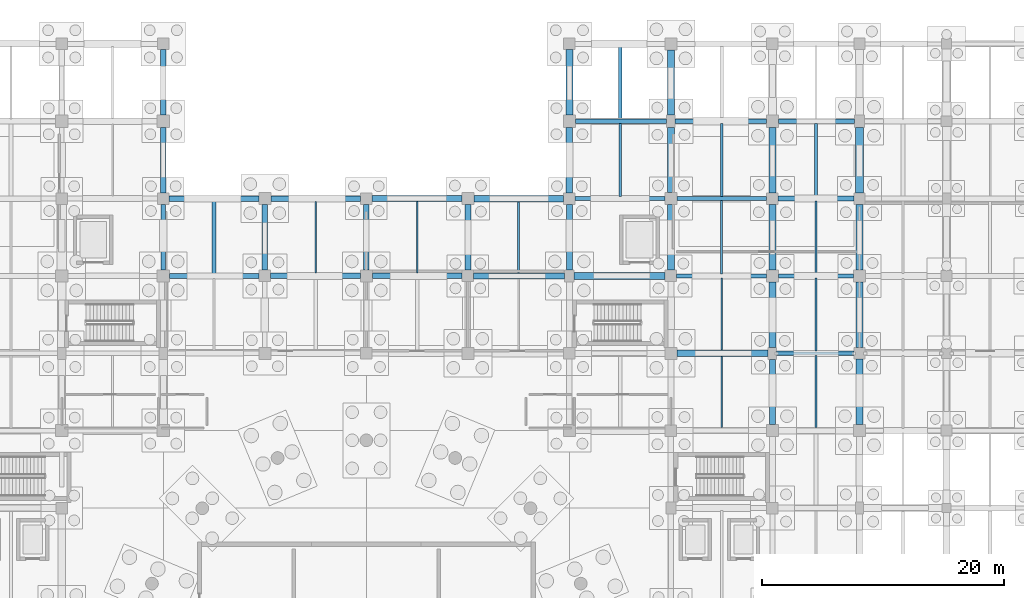
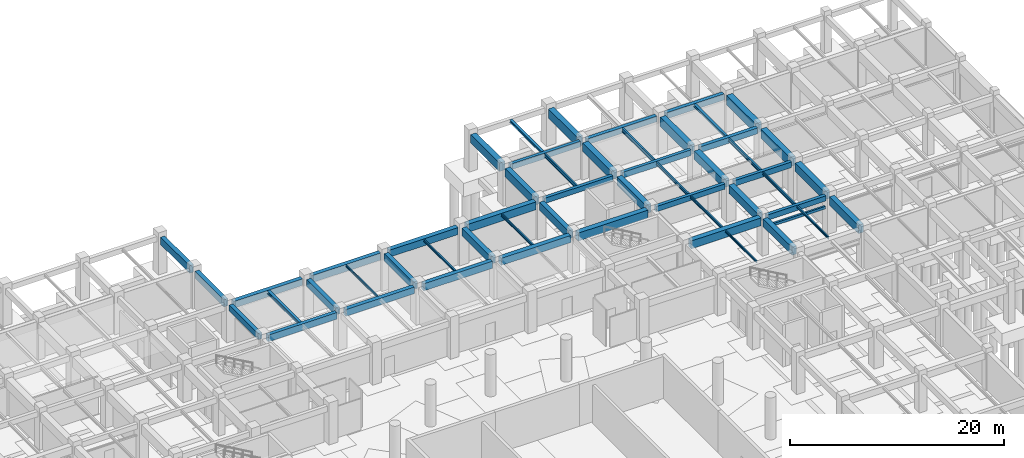
# One storey, part 25 of 44: 53 beams, 1 member.
"""IFC4 building model written with IfcOpenShell, lengths in metres."""

from ifc_helpers import new_model, si_unit, direction, frame, origin, origin_2d, place, context, subcontext, project, spatial, rectangle, hollow_rectangle, i_section, extrude, material, material_profile, profile_set, type_object, element, save


model = new_model("IFC4")

# Units and contexts
model_context = context("Model", 3, precision=1e-05, world=origin(), true_north=direction((0.0, 1.0)))
body_context = subcontext(model_context, "Body", "Model", "MODEL_VIEW")
ifc_project = project(units=[si_unit("LENGTHUNIT", "METRE"), si_unit("AREAUNIT", "SQUARE_METRE"), si_unit("VOLUMEUNIT", "CUBIC_METRE"), si_unit("PLANEANGLEUNIT", "RADIAN"), si_unit("MASSUNIT", "GRAM", prefix="KILO")], contexts=[model_context])

# Site, building, storey
site_placement = place(None, origin())
site = spatial("IfcSite", under=ifc_project, at=site_placement, CompositionType="ELEMENT")
building_placement = place(site_placement, origin())
building = spatial("IfcBuilding", under=site, at=building_placement, Name="Korsvaeld Concert Hall", CompositionType="ELEMENT")
storey_placement = place(building_placement, frame((0.0, 0.0, -4.800048828125)))
storey = spatial("IfcBuildingStorey", under=building, at=storey_placement, Name="B1", CompositionType="ELEMENT", Elevation=-4.800048828125)

# Beams
ifc_material_1 = material(Name="Concrete C35/45", Category="concrete")
ifc_material_profile_1 = material_profile(ifc_material_1, rectangle(XDim=0.35009765625, YDim=0.60009765625, at=origin_2d()), Name="RC 350x600")
ifc_profile_set_1 = profile_set([ifc_material_profile_1], Name="Concrete C35/45")
beam_type_1 = type_object("IfcBeamType", Name="BM-RC-350x600", PredefinedType="T_BEAM", material=ifc_profile_set_1)
beam_1_placement = place(storey_placement, frame((117.949951171875, 89.60009765625, 3.949951171875), z_axis=(1.0, 0.0, 0.0), x_axis=(0.0, 1.0, 0.0)))
element("IfcBeam", 1, at=beam_1_placement, inside=storey, type_object=beam_type_1, Name="Primary girder 16-17/N B1", PredefinedType="T_BEAM", context=body_context, shape_type="SweptSolid", body=[
    extrude(rectangle(XDim=0.35009765625, YDim=0.60009765625, at=origin_2d()), origin(), (0.0, 0.0, 1.0), 6.375),
])
for number, where, z_axis, x_axis, name in (
    (2, (109.675048828125, 96.0, 3.949951171875), (1.0, 0.0, 0.0), (0.0, 1.0, 0.0), "Primary girder 15-16/P B1"),
    (3, (101.27490234375, 102.39990234375, 3.949951171875), (1.0, 0.0, 0.0), (0.0, 1.0, 0.0), "Primary girder 14-15/Q B1"),
):
    element("IfcBeam", number, at=place(storey_placement, frame(where, z_axis=z_axis, x_axis=x_axis)), inside=storey, type_object=beam_type_1, Name=name, PredefinedType="T_BEAM", context=body_context, shape_type="SweptSolid", body=[
        extrude(rectangle(XDim=0.35009765625, YDim=0.60009765625, at=origin_2d()), origin(), (0.0, 0.0, 1.0), 7.425048828125),
    ])
ifc_material_profile_2 = material_profile(ifc_material_1, rectangle(XDim=0.35009765625, YDim=0.64990234375, at=origin_2d()), Name="RC 350x650")
ifc_profile_set_2 = profile_set([ifc_material_profile_2], Name="Concrete C35/45")
beam_type_2 = type_object("IfcBeamType", Name="BM-RC-350x650", PredefinedType="T_BEAM", material=ifc_profile_set_2)
beam_2_placement = place(storey_placement, frame((118.10009765625, 96.0, 3.925048828125), z_axis=(1.0, 0.0, 0.0), x_axis=(0.0, 1.0, 0.0)))
element("IfcBeam", 4, at=beam_2_placement, inside=storey, type_object=beam_type_2, Name="Primary girder 16-17/P B1", PredefinedType="T_BEAM", context=body_context, shape_type="SweptSolid", body=[
    extrude(rectangle(XDim=0.35009765625, YDim=0.64990234375, at=origin_2d()), origin(), (0.0, 0.0, 1.0), 6.199951171875),
])
beam_3_placement = place(storey_placement, frame((109.699951171875, 102.39990234375, 3.925048828125), z_axis=(1.0, 0.0, 0.0), x_axis=(0.0, 1.0, 0.0)))
element("IfcBeam", 5, at=beam_3_placement, inside=storey, type_object=beam_type_2, Name="Primary girder 15-16/Q B1", PredefinedType="T_BEAM", context=body_context, shape_type="SweptSolid", body=[
    extrude(rectangle(XDim=0.35009765625, YDim=0.64990234375, at=origin_2d()), origin(), (0.0, 0.0, 1.0), 7.425048828125),
])
beam_4_placement = place(storey_placement, frame((101.300048828125, 108.800048828125, 3.925048828125), z_axis=(1.0, 0.0, 0.0), x_axis=(0.0, 1.0, 0.0)))
element("IfcBeam", 6, at=beam_4_placement, inside=storey, type_object=beam_type_2, Name="Primary girder 14-15/R B1", PredefinedType="T_BEAM", context=body_context, shape_type="SweptSolid", body=[
    extrude(rectangle(XDim=0.35009765625, YDim=0.64990234375, at=origin_2d()), origin(), (0.0, 0.0, 1.0), 7.550048828125),
])
ifc_material_profile_3 = material_profile(ifc_material_1, rectangle(XDim=0.39990234375, YDim=0.64990234375, at=origin_2d()), Name="RC 400x650")
ifc_profile_set_3 = profile_set([ifc_material_profile_3], Name="Concrete C35/45")
beam_type_3 = type_object("IfcBeamType", Name="BM-RC-400x650", PredefinedType="T_BEAM", material=ifc_profile_set_3)
beam_5_placement = place(storey_placement, frame((118.074951171875, 102.39990234375, 3.925048828125), z_axis=(1.0, 0.0, 0.0), x_axis=(0.0, 1.0, 0.0)))
element("IfcBeam", 7, at=beam_5_placement, inside=storey, type_object=beam_type_3, Name="Primary girder 16-17/Q B1", PredefinedType="T_BEAM", context=body_context, shape_type="SweptSolid", body=[
    extrude(rectangle(XDim=0.39990234375, YDim=0.64990234375, at=origin_2d()), origin(), (0.0, 0.0, 1.0), 6.25),
])
beam_6_placement = place(storey_placement, frame((109.550048828125, 108.800048828125, 3.925048828125), z_axis=(1.0, 0.0, 0.0), x_axis=(0.0, 1.0, 0.0)))
element("IfcBeam", 8, at=beam_6_placement, inside=storey, type_object=beam_type_3, Name="Primary girder 15-16/R B1", PredefinedType="T_BEAM", context=body_context, shape_type="SweptSolid", body=[
    extrude(rectangle(XDim=0.39990234375, YDim=0.64990234375, at=origin_2d()), origin(), (0.0, 0.0, 1.0), 7.550048828125),
])
ifc_material_profile_4 = material_profile(ifc_material_1, rectangle(XDim=0.39990234375, YDim=0.699951171875, at=origin_2d()), Name="RC 400x700")
ifc_profile_set_4 = profile_set([ifc_material_profile_4], Name="Concrete C35/45")
beam_type_4 = type_object("IfcBeamType", Name="BM-RC-400x700", PredefinedType="T_BEAM", material=ifc_profile_set_4)
beam_7_placement = place(storey_placement, frame((118.10009765625, 108.800048828125, 3.900146484375), z_axis=(1.0, 0.0, 0.0), x_axis=(0.0, 1.0, 0.0)))
element("IfcBeam", 9, at=beam_7_placement, inside=storey, type_object=beam_type_4, Name="Primary girder 16-17/R B1", PredefinedType="T_BEAM", context=body_context, shape_type="SweptSolid", body=[
    extrude(rectangle(XDim=0.39990234375, YDim=0.699951171875, at=origin_2d()), origin(), (0.0, 0.0, 1.0), 6.2998046875),
])
beam_8_placement = place(storey_placement, frame((67.199951171875, 96.5, 3.900146484375), z_axis=(0.0, 1.0, 0.0), x_axis=(-1.0, 0.0, 0.0)))
element("IfcBeam", 10, at=beam_8_placement, inside=storey, type_object=beam_type_4, Name="Primary girder 10/P-Q B1", PredefinedType="T_BEAM", context=body_context, shape_type="SweptSolid", body=[
    extrude(rectangle(XDim=0.39990234375, YDim=0.699951171875, at=origin_2d()), origin(), (0.0, 0.0, 1.0), 5.425048828125),
])
ifc_material_profile_5 = material_profile(ifc_material_1, rectangle(XDim=0.39990234375, YDim=0.75, at=origin_2d()), Name="RC 400x750")
ifc_profile_set_5 = profile_set([ifc_material_profile_5], Name="Concrete C35/45")
beam_type_5 = type_object("IfcBeamType", Name="BM-RC-400x750", PredefinedType="T_BEAM", material=ifc_profile_set_5)
beam_9_placement = place(storey_placement, frame((67.699951171875, 96.0, 3.875), z_axis=(1.0, 0.0, 0.0), x_axis=(0.0, 1.0, 0.0)))
element("IfcBeam", 11, at=beam_9_placement, inside=storey, type_object=beam_type_5, Name="Primary girder 10-11/P B1", PredefinedType="T_BEAM", context=body_context, shape_type="SweptSolid", body=[
    extrude(rectangle(XDim=0.39990234375, YDim=0.75, at=origin_2d()), origin(), (0.0, 0.0, 1.0), 7.425048828125),
])
ifc_material_profile_6 = material_profile(ifc_material_1, rectangle(XDim=0.449951171875, YDim=0.75, at=origin_2d()), Name="RC 450x750")
ifc_profile_set_6 = profile_set([ifc_material_profile_6], Name="Concrete C35/45")
beam_type_6 = type_object("IfcBeamType", Name="BM-RC-450x750", PredefinedType="T_BEAM", material=ifc_profile_set_6)
for number, where, z_axis, x_axis, name in (
    (12, (76.074951171875, 96.0, 3.875), (1.0, 0.0, 0.0), (0.0, 1.0, 0.0), "Primary girder 11-12/P B1"),
    (13, (67.675048828125, 102.39990234375, 3.875), (1.0, 0.0, 0.0), (0.0, 1.0, 0.0), "Primary girder 10-11/Q B1"),
):
    element("IfcBeam", number, at=place(storey_placement, frame(where, z_axis=z_axis, x_axis=x_axis)), inside=storey, type_object=beam_type_6, Name=name, PredefinedType="T_BEAM", context=body_context, shape_type="SweptSolid", body=[
        extrude(rectangle(XDim=0.449951171875, YDim=0.75, at=origin_2d()), origin(), (0.0, 0.0, 1.0), 7.425048828125),
    ])
ifc_material_profile_7 = material_profile(ifc_material_1, rectangle(XDim=0.449951171875, YDim=0.800048828125, at=origin_2d()), Name="RC 450x800")
ifc_profile_set_7 = profile_set([ifc_material_profile_7], Name="Concrete C35/45")
beam_type_7 = type_object("IfcBeamType", Name="BM-RC-450x800", PredefinedType="T_BEAM", material=ifc_profile_set_7)
beam_10_placement = place(storey_placement, frame((84.5, 96.0, 3.85009765625), z_axis=(1.0, 0.0, 0.0), x_axis=(0.0, 1.0, 0.0)))
element("IfcBeam", 14, at=beam_10_placement, inside=storey, type_object=beam_type_7, Name="Primary girder 12-13/P B1", PredefinedType="T_BEAM", context=body_context, shape_type="SweptSolid", body=[
    extrude(rectangle(XDim=0.449951171875, YDim=0.800048828125, at=origin_2d()), origin(), (0.0, 0.0, 1.0), 7.425048828125),
])
beam_11_placement = place(storey_placement, frame((76.10009765625, 102.39990234375, 3.85009765625), z_axis=(1.0, 0.0, 0.0), x_axis=(0.0, 1.0, 0.0)))
element("IfcBeam", 15, at=beam_11_placement, inside=storey, type_object=beam_type_7, Name="Primary girder 11-12/Q B1", PredefinedType="T_BEAM", context=body_context, shape_type="SweptSolid", body=[
    extrude(rectangle(XDim=0.449951171875, YDim=0.800048828125, at=origin_2d()), origin(), (0.0, 0.0, 1.0), 7.4248046875),
])
beam_12_placement = place(storey_placement, frame((67.199951171875, 102.875, 3.85009765625), z_axis=(0.0, 1.0, 0.0), x_axis=(-1.0, 0.0, 0.0)))
element("IfcBeam", 16, at=beam_12_placement, inside=storey, type_object=beam_type_7, Name="Primary girder 10/Q-R B1", PredefinedType="T_BEAM", context=body_context, shape_type="SweptSolid", body=[
    extrude(rectangle(XDim=0.449951171875, YDim=0.800048828125, at=origin_2d()), origin(), (0.0, 0.0, 1.0), 5.425048828125),
])
beam_13_placement = place(storey_placement, frame((75.60009765625, 96.47509765625, 3.85009765625), z_axis=(0.0, 1.0, 0.0), x_axis=(-1.0, 0.0, 0.0)))
element("IfcBeam", 17, at=beam_13_placement, inside=storey, type_object=beam_type_7, Name="Primary girder 11/P-Q B1", PredefinedType="T_BEAM", context=body_context, shape_type="SweptSolid", body=[
    extrude(rectangle(XDim=0.449951171875, YDim=0.800048828125, at=origin_2d()), origin(), (0.0, 0.0, 1.0), 5.4248046875),
])
ifc_material_2 = material(Name="Concrete C40/50", Category="concrete")
ifc_material_profile_8 = material_profile(ifc_material_2, rectangle(XDim=0.449951171875, YDim=0.85009765625, at=origin_2d()), Name="RC 450x850")
ifc_profile_set_8 = profile_set([ifc_material_profile_8], Name="Concrete C40/50")
beam_type_8 = type_object("IfcBeamType", Name="BM-RC-450x850", PredefinedType="T_BEAM", material=ifc_profile_set_8)
for number, where, z_axis, x_axis, name in (
    (18, (67.199951171875, 109.300048828125, 3.824951171875), (0.0, 1.0, 0.0), (-1.0, 0.0, 0.0), "Primary girder 10/R-S B1"),
    (19, (84.0, 96.5, 3.824951171875), (0.0, 1.0, 0.0), (-1.0, 0.0, 0.0), "Primary girder 12/P-Q B1"),
):
    element("IfcBeam", number, at=place(storey_placement, frame(where, z_axis=z_axis, x_axis=x_axis)), inside=storey, type_object=beam_type_8, Name=name, PredefinedType="T_BEAM", context=body_context, shape_type="SweptSolid", body=[
        extrude(rectangle(XDim=0.449951171875, YDim=0.85009765625, at=origin_2d()), origin(), (0.0, 0.0, 1.0), 5.425048828125),
    ])
ifc_material_profile_9 = material_profile(ifc_material_2, rectangle(XDim=0.5, YDim=0.800048828125, at=origin_2d()), Name="RC 500x800")
ifc_profile_set_9 = profile_set([ifc_material_profile_9], Name="Concrete C40/50")
beam_type_9 = type_object("IfcBeamType", Name="BM-RC-500x800", PredefinedType="T_BEAM", material=ifc_profile_set_9)
beam_14_placement = place(storey_placement, frame((92.875, 96.0, 3.85009765625), z_axis=(1.0, 0.0, 0.0), x_axis=(0.0, 1.0, 0.0)))
element("IfcBeam", 20, at=beam_14_placement, inside=storey, type_object=beam_type_9, Name="Primary girder 13-14/P B1", PredefinedType="T_BEAM", context=body_context, shape_type="SweptSolid", body=[
    extrude(rectangle(XDim=0.5, YDim=0.800048828125, at=origin_2d()), origin(), (0.0, 0.0, 1.0), 7.52490234375),
])
beam_15_placement = place(storey_placement, frame((84.47509765625, 102.39990234375, 3.85009765625), z_axis=(1.0, 0.0, 0.0), x_axis=(0.0, 1.0, 0.0)))
element("IfcBeam", 21, at=beam_15_placement, inside=storey, type_object=beam_type_9, Name="Primary girder 12-13/Q B1", PredefinedType="T_BEAM", context=body_context, shape_type="SweptSolid", body=[
    extrude(rectangle(XDim=0.5, YDim=0.800048828125, at=origin_2d()), origin(), (0.0, 0.0, 1.0), 7.4248046875),
])
ifc_material_profile_10 = material_profile(ifc_material_2, rectangle(XDim=0.5, YDim=0.85009765625, at=origin_2d()), Name="RC 500x850")
ifc_profile_set_10 = profile_set([ifc_material_profile_10], Name="Concrete C40/50")
beam_type_10 = type_object("IfcBeamType", Name="BM-RC-500x850", PredefinedType="T_BEAM", material=ifc_profile_set_10)
beam_16_placement = place(storey_placement, frame((92.39990234375, 96.47509765625, 3.824951171875), z_axis=(0.0, 1.0, 0.0), x_axis=(-1.0, 0.0, 0.0)))
element("IfcBeam", 22, at=beam_16_placement, inside=storey, type_object=beam_type_10, Name="Primary girder 13/P-Q B1", PredefinedType="T_BEAM", context=body_context, shape_type="SweptSolid", body=[
    extrude(rectangle(XDim=0.5, YDim=0.85009765625, at=origin_2d()), origin(), (0.0, 0.0, 1.0), 5.4248046875),
])
ifc_material_profile_11 = material_profile(ifc_material_2, rectangle(XDim=0.5, YDim=0.89990234375, at=origin_2d()), Name="RC 500x900")
ifc_profile_set_11 = profile_set([ifc_material_profile_11], Name="Concrete C40/50")
beam_type_11 = type_object("IfcBeamType", Name="BM-RC-500x900", PredefinedType="T_BEAM", material=ifc_profile_set_11)
beam_17_placement = place(storey_placement, frame((100.800048828125, 96.5, 3.800048828125), z_axis=(0.0, 1.0, 0.0), x_axis=(-1.0, 0.0, 0.0)))
element("IfcBeam", 23, at=beam_17_placement, inside=storey, type_object=beam_type_11, Name="Primary girder 14/P-Q B1", PredefinedType="T_BEAM", context=body_context, shape_type="SweptSolid", body=[
    extrude(rectangle(XDim=0.5, YDim=0.89990234375, at=origin_2d()), origin(), (0.0, 0.0, 1.0), 5.425048828125),
])
beam_18_placement = place(storey_placement, frame((117.60009765625, 83.699951171875, 3.800048828125), z_axis=(0.0, 1.0, 0.0), x_axis=(-1.0, 0.0, 0.0)))
element("IfcBeam", 24, at=beam_18_placement, inside=storey, type_object=beam_type_11, Name="Primary girder 16/M-N B1", PredefinedType="T_BEAM", context=body_context, shape_type="SweptSolid", body=[
    extrude(rectangle(XDim=0.5, YDim=0.89990234375, at=origin_2d()), origin(), (0.0, 0.0, 1.0), 5.400146484375),
])
ifc_material_profile_12 = material_profile(ifc_material_2, rectangle(XDim=0.550048828125, YDim=0.89990234375, at=origin_2d()), Name="RC 550x900")
ifc_profile_set_12 = profile_set([ifc_material_profile_12], Name="Concrete C40/50")
beam_type_12 = type_object("IfcBeamType", Name="BM-RC-550x900", PredefinedType="T_BEAM", material=ifc_profile_set_12)
beam_19_placement = place(storey_placement, frame((109.699951171875, 89.60009765625, 3.800048828125), z_axis=(1.0, 0.0, 0.0), x_axis=(0.0, 1.0, 0.0)))
element("IfcBeam", 25, at=beam_19_placement, inside=storey, type_object=beam_type_12, Name="Primary girder 15-16/N B1", PredefinedType="T_BEAM", context=body_context, shape_type="SweptSolid", body=[
    extrude(rectangle(XDim=0.550048828125, YDim=0.89990234375, at=origin_2d()), origin(), (0.0, 0.0, 1.0), 7.550048828125),
])
beam_20_placement = place(storey_placement, frame((101.199951171875, 96.0, 3.800048828125), z_axis=(1.0, 0.0, 0.0), x_axis=(0.0, 1.0, 0.0)))
element("IfcBeam", 26, at=beam_20_placement, inside=storey, type_object=beam_type_12, Name="Primary girder 14-15/P B1", PredefinedType="T_BEAM", context=body_context, shape_type="SweptSolid", body=[
    extrude(rectangle(XDim=0.550048828125, YDim=0.89990234375, at=origin_2d()), origin(), (0.0, 0.0, 1.0), 7.525146484375),
])
beam_21_placement = place(storey_placement, frame((92.89990234375, 102.39990234375, 3.800048828125), z_axis=(1.0, 0.0, 0.0), x_axis=(0.0, 1.0, 0.0)))
element("IfcBeam", 27, at=beam_21_placement, inside=storey, type_object=beam_type_12, Name="Primary girder 13-14/Q B1", PredefinedType="T_BEAM", context=body_context, shape_type="SweptSolid", body=[
    extrude(rectangle(XDim=0.550048828125, YDim=0.89990234375, at=origin_2d()), origin(), (0.0, 0.0, 1.0), 7.425048828125),
])
ifc_material_profile_13 = material_profile(ifc_material_2, rectangle(XDim=0.550048828125, YDim=0.949951171875, at=origin_2d()), Name="RC 550x950")
ifc_profile_set_13 = profile_set([ifc_material_profile_13], Name="Concrete C40/50")
beam_type_13 = type_object("IfcBeamType", Name="BM-RC-550x950", PredefinedType="T_BEAM", material=ifc_profile_set_13)
beam_22_placement = place(storey_placement, frame((100.800048828125, 102.875, 3.775146484375), z_axis=(0.0, 1.0, 0.0), x_axis=(-1.0, 0.0, 0.0)))
element("IfcBeam", 28, at=beam_22_placement, inside=storey, type_object=beam_type_13, Name="Primary girder 14/Q-R B1", PredefinedType="T_BEAM", context=body_context, shape_type="SweptSolid", body=[
    extrude(rectangle(XDim=0.550048828125, YDim=0.949951171875, at=origin_2d()), origin(), (0.0, 0.0, 1.0), 5.425048828125),
])
beam_23_placement = place(storey_placement, frame((109.199951171875, 96.47509765625, 3.775146484375), z_axis=(0.0, 1.0, 0.0), x_axis=(-1.0, 0.0, 0.0)))
element("IfcBeam", 29, at=beam_23_placement, inside=storey, type_object=beam_type_13, Name="Primary girder 15/P-Q B1", PredefinedType="T_BEAM", context=body_context, shape_type="SweptSolid", body=[
    extrude(rectangle(XDim=0.550048828125, YDim=0.949951171875, at=origin_2d()), origin(), (0.0, 0.0, 1.0), 5.4248046875),
])
beam_24_placement = place(storey_placement, frame((117.60009765625, 90.10009765625, 3.775146484375), z_axis=(0.0, 1.0, 0.0), x_axis=(-1.0, 0.0, 0.0)))
element("IfcBeam", 30, at=beam_24_placement, inside=storey, type_object=beam_type_13, Name="Primary girder 16/N-P B1", PredefinedType="T_BEAM", context=body_context, shape_type="SweptSolid", body=[
    extrude(rectangle(XDim=0.550048828125, YDim=0.949951171875, at=origin_2d()), origin(), (0.0, 0.0, 1.0), 5.39990234375),
])
beam_25_placement = place(storey_placement, frame((124.800048828125, 83.699951171875, 3.775146484375), z_axis=(0.0, 1.0, 0.0), x_axis=(-1.0, 0.0, 0.0)))
element("IfcBeam", 31, at=beam_25_placement, inside=storey, type_object=beam_type_13, Name="Primary girder 17/M-N B1", PredefinedType="T_BEAM", context=body_context, shape_type="SweptSolid", body=[
    extrude(rectangle(XDim=0.550048828125, YDim=0.949951171875, at=origin_2d()), origin(), (0.0, 0.0, 1.0), 5.425048828125),
])
ifc_material_profile_14 = material_profile(ifc_material_2, rectangle(XDim=0.60009765625, YDim=1.050048828125, at=origin_2d()), Name="RC 600x1050")
ifc_profile_set_14 = profile_set([ifc_material_profile_14], Name="Concrete C40/50")
beam_type_14 = type_object("IfcBeamType", Name="BM-RC-600x1050", PredefinedType="T_BEAM", material=ifc_profile_set_14)
beam_26_placement = place(storey_placement, frame((109.199951171875, 109.300048828125, 3.72509765625), z_axis=(0.0, 1.0, 0.0), x_axis=(-1.0, 0.0, 0.0)))
element("IfcBeam", 32, at=beam_26_placement, inside=storey, type_object=beam_type_14, Name="Primary girder 15/R-S B1", PredefinedType="T_BEAM", context=body_context, shape_type="SweptSolid", body=[
    extrude(rectangle(XDim=0.60009765625, YDim=1.050048828125, at=origin_2d()), origin(), (0.0, 0.0, 1.0), 5.39990234375),
])
for number, where, z_axis, x_axis, name in (
    (33, (117.60009765625, 102.875, 3.72509765625), (0.0, 1.0, 0.0), (-1.0, 0.0, 0.0), "Primary girder 16/Q-R B1"),
    (34, (124.800048828125, 96.5, 3.72509765625), (0.0, 1.0, 0.0), (-1.0, 0.0, 0.0), "Primary girder 17/P-Q B1"),
):
    element("IfcBeam", number, at=place(storey_placement, frame(where, z_axis=z_axis, x_axis=x_axis)), inside=storey, type_object=beam_type_14, Name=name, PredefinedType="T_BEAM", context=body_context, shape_type="SweptSolid", body=[
        extrude(rectangle(XDim=0.60009765625, YDim=1.050048828125, at=origin_2d()), origin(), (0.0, 0.0, 1.0), 5.425048828125),
    ])
ifc_material_profile_15 = material_profile(ifc_material_2, rectangle(XDim=0.60009765625, YDim=0.949951171875, at=origin_2d()), Name="RC 600x950")
ifc_profile_set_15 = profile_set([ifc_material_profile_15], Name="Concrete C40/50")
beam_type_15 = type_object("IfcBeamType", Name="BM-RC-600x950", PredefinedType="T_BEAM", material=ifc_profile_set_15)
beam_27_placement = place(storey_placement, frame((100.800048828125, 109.300048828125, 3.775146484375), z_axis=(0.0, 1.0, 0.0), x_axis=(-1.0, 0.0, 0.0)))
element("IfcBeam", 35, at=beam_27_placement, inside=storey, type_object=beam_type_15, Name="Primary girder 14/R-S B1", PredefinedType="T_BEAM", context=body_context, shape_type="SweptSolid", body=[
    extrude(rectangle(XDim=0.60009765625, YDim=0.949951171875, at=origin_2d()), origin(), (0.0, 0.0, 1.0), 5.425048828125),
])
beam_28_placement = place(storey_placement, frame((109.199951171875, 102.89990234375, 3.775146484375), z_axis=(0.0, 1.0, 0.0), x_axis=(-1.0, 0.0, 0.0)))
element("IfcBeam", 36, at=beam_28_placement, inside=storey, type_object=beam_type_15, Name="Primary girder 15/Q-R B1", PredefinedType="T_BEAM", context=body_context, shape_type="SweptSolid", body=[
    extrude(rectangle(XDim=0.60009765625, YDim=0.949951171875, at=origin_2d()), origin(), (0.0, 0.0, 1.0), 5.400146484375),
])
for number, where, z_axis, x_axis, name in (
    (37, (117.60009765625, 96.5, 3.775146484375), (0.0, 1.0, 0.0), (-1.0, 0.0, 0.0), "Primary girder 16/P-Q B1"),
    (38, (124.800048828125, 90.074951171875, 3.775146484375), (0.0, 1.0, 0.0), (-1.0, 0.0, 0.0), "Primary girder 17/N-P B1"),
):
    element("IfcBeam", number, at=place(storey_placement, frame(where, z_axis=z_axis, x_axis=x_axis)), inside=storey, type_object=beam_type_15, Name=name, PredefinedType="T_BEAM", context=body_context, shape_type="SweptSolid", body=[
        extrude(rectangle(XDim=0.60009765625, YDim=0.949951171875, at=origin_2d()), origin(), (0.0, 0.0, 1.0), 5.425048828125),
    ])
ifc_material_profile_16 = material_profile(ifc_material_2, rectangle(XDim=0.64990234375, YDim=1.10009765625, at=origin_2d()), Name="RC 650x1100")
ifc_profile_set_16 = profile_set([ifc_material_profile_16], Name="Concrete C40/50")
beam_type_16 = type_object("IfcBeamType", Name="BM-RC-650x1100", PredefinedType="T_BEAM", material=ifc_profile_set_16)
beam_29_placement = place(storey_placement, frame((124.800048828125, 102.875, 3.699951171875), z_axis=(0.0, 1.0, 0.0), x_axis=(-1.0, 0.0, 0.0)))
element("IfcBeam", 39, at=beam_29_placement, inside=storey, type_object=beam_type_16, Name="Primary girder 17/Q-R B1", PredefinedType="T_BEAM", context=body_context, shape_type="SweptSolid", body=[
    extrude(rectangle(XDim=0.64990234375, YDim=1.10009765625, at=origin_2d()), origin(), (0.0, 0.0, 1.0), 5.425048828125),
])
ifc_material_3 = material(Name="Steel S355J2", Category="steel")
ifc_material_profile_17 = material_profile(ifc_material_3, i_section(OverallWidth=0.280029296875, OverallDepth=0.27001953125, WebThickness=0.008056640625, FlangeThickness=0.012939453125, FilletRadius=0.02392578125, at=origin_2d()), Name="HEA 280")
ifc_profile_set_17 = profile_set([ifc_material_profile_17], Name="Steel S355J2")
beam_type_17 = type_object("IfcBeamType", Name="BM-STL-HEA280", PredefinedType="BEAM", material=ifc_profile_set_17)
beam_30_placement = place(storey_placement, frame((105.0, 108.97509765625, 4.114990234375), z_axis=(0.0, 1.0, 0.0), x_axis=(-1.0, 0.0, 0.0)))
element("IfcBeam", 40, at=beam_30_placement, inside=storey, type_object=beam_type_17, Name="Secondary steel floor beam 14-15/R B1", PredefinedType="BEAM", context=body_context, shape_type="SweptSolid", body=[
    extrude(i_section(OverallWidth=0.280029296875, OverallDepth=0.27001953125, WebThickness=0.008056640625, FlangeThickness=0.012939453125, FilletRadius=0.02392578125, at=origin_2d()), origin(), (0.0, 0.0, 1.0), 6.02490234375),
])
beam_31_placement = place(storey_placement, frame((121.199951171875, 102.60009765625, 4.114990234375), z_axis=(0.0, 1.0, 0.0), x_axis=(-1.0, 0.0, 0.0)))
element("IfcBeam", 41, at=beam_31_placement, inside=storey, type_object=beam_type_17, Name="Secondary steel floor beam 16-17/Q B1", PredefinedType="BEAM", context=body_context, shape_type="SweptSolid", body=[
    extrude(i_section(OverallWidth=0.280029296875, OverallDepth=0.27001953125, WebThickness=0.008056640625, FlangeThickness=0.012939453125, FilletRadius=0.02392578125, at=origin_2d()), origin(), (0.0, 0.0, 1.0), 6.0),
])
ifc_material_profile_18 = material_profile(ifc_material_3, i_section(OverallWidth=0.300048828125, OverallDepth=0.35009765625, WebThickness=0.010009765625, FlangeThickness=0.017578125, FilletRadius=0.027099609375, at=origin_2d()), Name="HEA 360")
ifc_profile_set_18 = profile_set([ifc_material_profile_18], Name="Steel S355J2")
beam_type_18 = type_object("IfcBeamType", Name="BM-STL-HEA360", PredefinedType="BEAM", material=ifc_profile_set_18)
beam_32_placement = place(storey_placement, frame((71.39990234375, 96.199951171875, 4.074951171875), z_axis=(0.0, 1.0, 0.0), x_axis=(-1.0, 0.0, 0.0)))
element("IfcBeam", 42, at=beam_32_placement, inside=storey, type_object=beam_type_18, Name="Secondary steel floor beam 10-11/P B1", PredefinedType="BEAM", context=body_context, shape_type="SweptSolid", body=[
    extrude(i_section(OverallWidth=0.300048828125, OverallDepth=0.35009765625, WebThickness=0.010009765625, FlangeThickness=0.017578125, FilletRadius=0.027099609375, at=origin_2d()), origin(), (0.0, 0.0, 1.0), 5.97509765625),
])
ifc_material_profile_19 = material_profile(ifc_material_3, i_section(OverallWidth=0.1201171875, OverallDepth=0.239990234375, WebThickness=0.006103515625, FlangeThickness=0.009765625, FilletRadius=0.014892578125, at=origin_2d()), Name="IPE 240")
ifc_profile_set_19 = profile_set([ifc_material_profile_19], Name="Steel S355J2")
beam_type_19 = type_object("IfcBeamType", Name="BM-STL-IPE240", PredefinedType="JOIST", material=ifc_profile_set_19)
beam_33_placement = place(storey_placement, frame((79.800048828125, 96.22509765625, 4.130126953125), z_axis=(0.0, 1.0, 0.0), x_axis=(-1.0, 0.0, 0.0)))
element("IfcBeam", 43, at=beam_33_placement, inside=storey, type_object=beam_type_19, Name="Secondary steel floor beam 11-12/P B1", PredefinedType="JOIST", context=body_context, shape_type="SweptSolid", body=[
    extrude(i_section(OverallWidth=0.1201171875, OverallDepth=0.239990234375, WebThickness=0.006103515625, FlangeThickness=0.009765625, FilletRadius=0.014892578125, at=origin_2d()), origin(), (0.0, 0.0, 1.0), 5.949951171875),
])
beam_34_placement = place(storey_placement, frame((113.39990234375, 83.449951171875, 4.130126953125), z_axis=(0.0, 1.0, 0.0), x_axis=(-1.0, 0.0, 0.0)))
element("IfcBeam", 44, at=beam_34_placement, inside=storey, type_object=beam_type_19, Name="Secondary steel floor beam 15-16/M B1", PredefinedType="JOIST", context=body_context, shape_type="SweptSolid", body=[
    extrude(i_section(OverallWidth=0.1201171875, OverallDepth=0.239990234375, WebThickness=0.006103515625, FlangeThickness=0.009765625, FilletRadius=0.014892578125, at=origin_2d()), origin(), (0.0, 0.0, 1.0), 5.875),
])
ifc_material_profile_20 = material_profile(ifc_material_3, i_section(OverallWidth=0.135009765625, OverallDepth=0.27001953125, WebThickness=0.006591796875, FlangeThickness=0.01025390625, FilletRadius=0.014892578125, at=origin_2d()), Name="IPE 270")
ifc_profile_set_20 = profile_set([ifc_material_profile_20], Name="Steel S355J2")
beam_type_20 = type_object("IfcBeamType", Name="BM-STL-IPE270", PredefinedType="JOIST", material=ifc_profile_set_20)
beam_35_placement = place(storey_placement, frame((88.199951171875, 96.22509765625, 4.114990234375), z_axis=(0.0, 1.0, 0.0), x_axis=(-1.0, 0.0, 0.0)))
element("IfcBeam", 45, at=beam_35_placement, inside=storey, type_object=beam_type_20, Name="Secondary steel floor beam 12-13/P B1", PredefinedType="JOIST", context=body_context, shape_type="SweptSolid", body=[
    extrude(i_section(OverallWidth=0.135009765625, OverallDepth=0.27001953125, WebThickness=0.006591796875, FlangeThickness=0.01025390625, FilletRadius=0.014892578125, at=origin_2d()), origin(), (0.0, 0.0, 1.0), 5.9248046875),
])
beam_36_placement = place(storey_placement, frame((121.199951171875, 83.47509765625, 4.114990234375), z_axis=(0.0, 1.0, 0.0), x_axis=(-1.0, 0.0, 0.0)))
element("IfcBeam", 46, at=beam_36_placement, inside=storey, type_object=beam_type_20, Name="Secondary steel floor beam 16-17/M B1", PredefinedType="JOIST", context=body_context, shape_type="SweptSolid", body=[
    extrude(i_section(OverallWidth=0.135009765625, OverallDepth=0.27001953125, WebThickness=0.006591796875, FlangeThickness=0.01025390625, FilletRadius=0.014892578125, at=origin_2d()), origin(), (0.0, 0.0, 1.0), 5.949951171875),
])
ifc_material_profile_21 = material_profile(ifc_material_3, i_section(OverallWidth=0.14990234375, OverallDepth=0.300048828125, WebThickness=0.007080078125, FlangeThickness=0.0107421875, FilletRadius=0.014892578125, at=origin_2d()), Name="IPE 300")
ifc_profile_set_21 = profile_set([ifc_material_profile_21], Name="Steel S355J2")
beam_type_21 = type_object("IfcBeamType", Name="BM-STL-IPE300", PredefinedType="JOIST", material=ifc_profile_set_21)
beam_37_placement = place(storey_placement, frame((96.60009765625, 96.25, 4.10009765625), z_axis=(0.0, 1.0, 0.0), x_axis=(-1.0, 0.0, 0.0)))
element("IfcBeam", 47, at=beam_37_placement, inside=storey, type_object=beam_type_21, Name="Secondary steel floor beam 13-14/P B1", PredefinedType="JOIST", context=body_context, shape_type="SweptSolid", body=[
    extrude(i_section(OverallWidth=0.14990234375, OverallDepth=0.300048828125, WebThickness=0.007080078125, FlangeThickness=0.0107421875, FilletRadius=0.014892578125, at=origin_2d()), origin(), (0.0, 0.0, 1.0), 5.875),
])
beam_38_placement = place(storey_placement, frame((113.39990234375, 89.875, 4.10009765625), z_axis=(0.0, 1.0, 0.0), x_axis=(-1.0, 0.0, 0.0)))
element("IfcBeam", 48, at=beam_38_placement, inside=storey, type_object=beam_type_21, Name="Secondary steel floor beam 15-16/N B1", PredefinedType="JOIST", context=body_context, shape_type="SweptSolid", body=[
    extrude(i_section(OverallWidth=0.14990234375, OverallDepth=0.300048828125, WebThickness=0.007080078125, FlangeThickness=0.0107421875, FilletRadius=0.014892578125, at=origin_2d()), origin(), (0.0, 0.0, 1.0), 5.949951171875),
])
ifc_material_profile_22 = material_profile(ifc_material_3, i_section(OverallWidth=0.159912109375, OverallDepth=0.330078125, WebThickness=0.007568359375, FlangeThickness=0.011474609375, FilletRadius=0.01806640625, at=origin_2d()), Name="IPE 330")
ifc_profile_set_22 = profile_set([ifc_material_profile_22], Name="Steel S355J2")
beam_type_22 = type_object("IfcBeamType", Name="BM-STL-IPE330", PredefinedType="BEAM", material=ifc_profile_set_22)
beam_39_placement = place(storey_placement, frame((121.199951171875, 89.77490234375, 4.0849609375), z_axis=(0.0, 1.0, 0.0), x_axis=(-1.0, 0.0, 0.0)))
element("IfcBeam", 49, at=beam_39_placement, inside=storey, type_object=beam_type_22, Name="Secondary steel floor beam 16-17/N B1", PredefinedType="BEAM", context=body_context, shape_type="SweptSolid", body=[
    extrude(i_section(OverallWidth=0.159912109375, OverallDepth=0.330078125, WebThickness=0.007568359375, FlangeThickness=0.011474609375, FilletRadius=0.01806640625, at=origin_2d()), origin(), (0.0, 0.0, 1.0), 6.050048828125),
])
ifc_material_profile_23 = material_profile(ifc_material_3, i_section(OverallWidth=0.169921875, OverallDepth=0.360107421875, WebThickness=0.008056640625, FlangeThickness=0.0126953125, FilletRadius=0.01806640625, at=origin_2d()), Name="IPE 360")
ifc_profile_set_23 = profile_set([ifc_material_profile_23], Name="Steel S355J2")
beam_type_23 = type_object("IfcBeamType", Name="BM-STL-IPE360", PredefinedType="BEAM", material=ifc_profile_set_23)
beam_40_placement = place(storey_placement, frame((113.39990234375, 96.175048828125, 4.070068359375), z_axis=(0.0, 1.0, 0.0), x_axis=(-1.0, 0.0, 0.0)))
element("IfcBeam", 50, at=beam_40_placement, inside=storey, type_object=beam_type_23, Name="Secondary steel floor beam 15-16/P B1", PredefinedType="BEAM", context=body_context, shape_type="SweptSolid", body=[
    extrude(i_section(OverallWidth=0.169921875, OverallDepth=0.360107421875, WebThickness=0.008056640625, FlangeThickness=0.0126953125, FilletRadius=0.01806640625, at=origin_2d()), origin(), (0.0, 0.0, 1.0), 6.050048828125),
])
ifc_material_profile_24 = material_profile(ifc_material_3, i_section(OverallWidth=0.179931640625, OverallDepth=0.39990234375, WebThickness=0.008544921875, FlangeThickness=0.013427734375, FilletRadius=0.02099609375, at=origin_2d()), Name="IPE 400")
ifc_profile_set_24 = profile_set([ifc_material_profile_24], Name="Steel S355J2")
beam_type_24 = type_object("IfcBeamType", Name="BM-STL-IPE400", PredefinedType="BEAM", material=ifc_profile_set_24)
beam_41_placement = place(storey_placement, frame((105.0, 102.574951171875, 4.050048828125), z_axis=(0.0, 1.0, 0.0), x_axis=(-1.0, 0.0, 0.0)))
element("IfcBeam", 51, at=beam_41_placement, inside=storey, type_object=beam_type_24, Name="Secondary steel floor beam 14-15/Q B1", PredefinedType="BEAM", context=body_context, shape_type="SweptSolid", body=[
    extrude(i_section(OverallWidth=0.179931640625, OverallDepth=0.39990234375, WebThickness=0.008544921875, FlangeThickness=0.013427734375, FilletRadius=0.02099609375, at=origin_2d()), origin(), (0.0, 0.0, 1.0), 6.050048828125),
])
beam_42_placement = place(storey_placement, frame((121.199951171875, 96.175048828125, 4.050048828125), z_axis=(0.0, 1.0, 0.0), x_axis=(-1.0, 0.0, 0.0)))
element("IfcBeam", 52, at=beam_42_placement, inside=storey, type_object=beam_type_24, Name="Secondary steel floor beam 16-17/P B1", PredefinedType="BEAM", context=body_context, shape_type="SweptSolid", body=[
    extrude(i_section(OverallWidth=0.179931640625, OverallDepth=0.39990234375, WebThickness=0.008544921875, FlangeThickness=0.013427734375, FilletRadius=0.02099609375, at=origin_2d()), origin(), (0.0, 0.0, 1.0), 6.02490234375),
])
ifc_material_profile_25 = material_profile(ifc_material_3, i_section(OverallWidth=0.18994140625, OverallDepth=0.449951171875, WebThickness=0.009521484375, FlangeThickness=0.0146484375, FilletRadius=0.02099609375, at=origin_2d()), Name="IPE 450")
ifc_profile_set_25 = profile_set([ifc_material_profile_25], Name="Steel S355J2")
beam_type_25 = type_object("IfcBeamType", Name="BM-STL-IPE450", PredefinedType="BEAM", material=ifc_profile_set_25)
beam_43_placement = place(storey_placement, frame((113.39990234375, 102.574951171875, 4.025146484375), z_axis=(0.0, 1.0, 0.0), x_axis=(-1.0, 0.0, 0.0)))
element("IfcBeam", 53, at=beam_43_placement, inside=storey, type_object=beam_type_25, Name="Secondary steel floor beam 15-16/Q B1", PredefinedType="BEAM", context=body_context, shape_type="SweptSolid", body=[
    extrude(i_section(OverallWidth=0.18994140625, OverallDepth=0.449951171875, WebThickness=0.009521484375, FlangeThickness=0.0146484375, FilletRadius=0.02099609375, at=origin_2d()), origin(), (0.0, 0.0, 1.0), 6.025146484375),
])

# Member
ifc_material_profile_26 = material_profile(ifc_material_3, hollow_rectangle(XDim=0.199951171875, YDim=0.300048828125, WallThickness=0.012451171875, at=origin_2d()), Name="RHS 300x200x12.5")
ifc_profile_set_26 = profile_set([ifc_material_profile_26], Name="Steel S355J2")
member_type = type_object("IfcMemberType", Name="MEM-STR-RHS300", PredefinedType="STRUT", material=ifc_profile_set_26)
member_placement = place(storey_placement, frame((117.949951171875, 89.60009765625, 2.85009765625), z_axis=(1.0, 0.0, 0.0), x_axis=(0.0, 1.0, 0.0)))
element("IfcMember", 54, at=member_placement, inside=storey, type_object=member_type, Name="Basement lateral frame strut 13", PredefinedType="STRUT", context=body_context, shape_type="SweptSolid", body=[
    extrude(hollow_rectangle(XDim=0.199951171875, YDim=0.300048828125, WallThickness=0.012451171875, at=origin_2d()), origin(), (0.0, 0.0, 1.0), 6.375),
])

save(model, "model.ifc")
